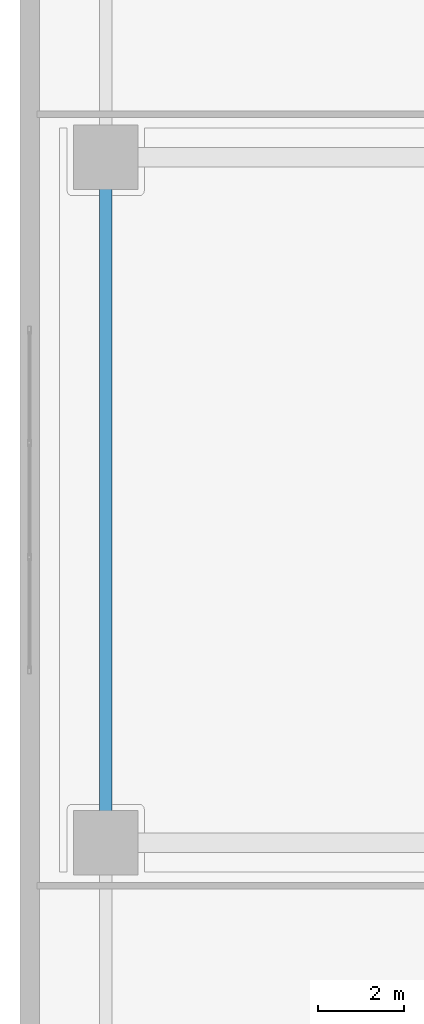
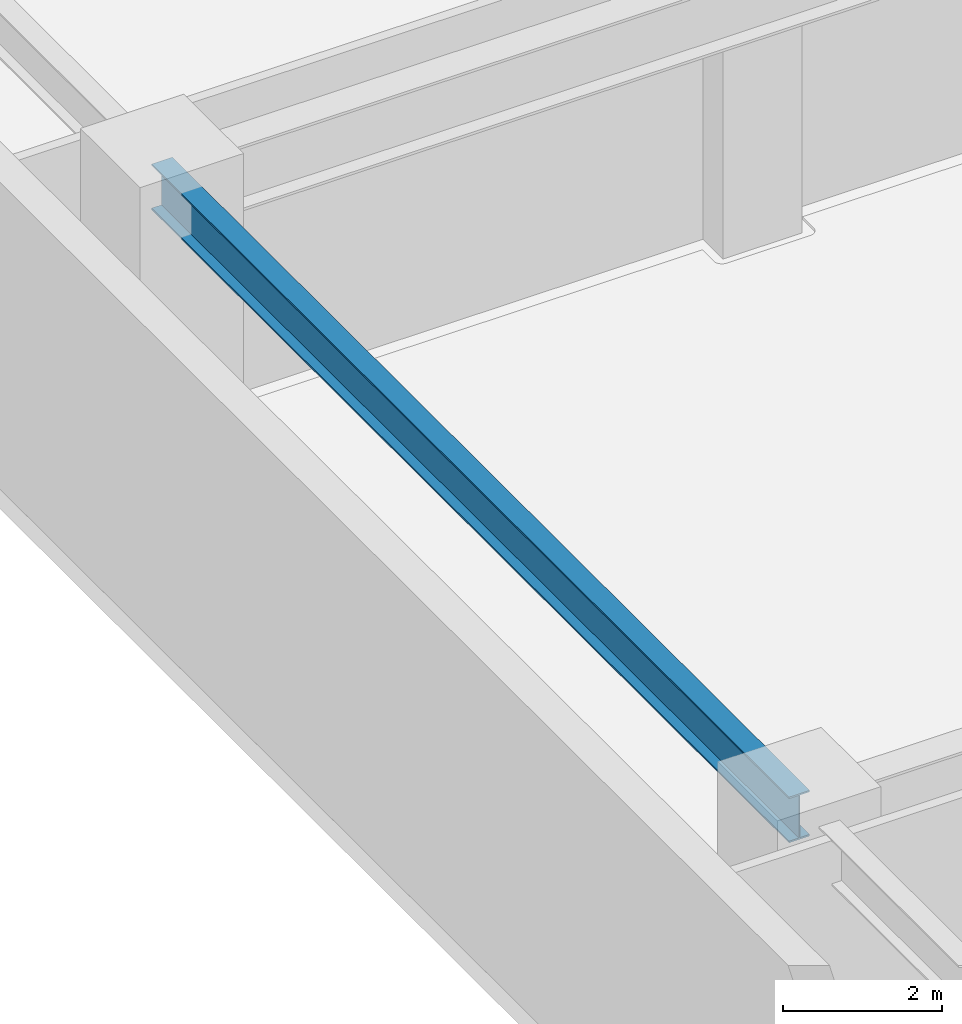
# One storey, part 11 of 35: 1 beam.
"""IFC4 building model written with IfcOpenShell, lengths in metres."""

import ifcopenshell
import ifcopenshell.guid

model = None  # the IFC model being written
_history = None  # IfcOwnerHistory: only IFC2X3 demands one
_inside = {}  # id of a spatial element -> (the spatial element, [elements in it])
_under = {}  # id of a project, library or spatial element -> (it, [spatial elements below it])
_declared = {}  # id of a project -> (the project, [libraries it declares])
_typed = {}  # id of a type object -> (the type object, [elements of that type])
_made_of = {}  # id of a material, layer set ... -> (it, [elements and type objects made of it])


def new_model(schema):
    """Start an empty IFC model of exactly this schema.

    Asked for "IFC4X3", IfcOpenShell would pick the latest addendum, in which some entities
    have other attributes; the version numbers below select the first issue.
    IFC2X3 requires an IfcOwnerHistory on every rooted entity: one is made here for all.
    """
    global model, _history
    if schema == "IFC4X3":
        model = ifcopenshell.file(schema_version=(4, 3, 0, 0))
    else:
        model = ifcopenshell.file(schema=schema)
    _inside.clear()
    _under.clear()
    _declared.clear()
    _typed.clear()
    _made_of.clear()
    _history = None
    if model.schema == "IFC2X3":
        org = make("IfcOrganization", Name="unknown")
        user = make(
            "IfcPersonAndOrganization",
            ThePerson=make("IfcPerson", FamilyName="unknown"),
            TheOrganization=org,
        )
        app = make(
            "IfcApplication",
            ApplicationDeveloper=org,
            Version="unknown",
            ApplicationFullName="unknown",
            ApplicationIdentifier="unknown",
        )
        _history = make(
            "IfcOwnerHistory",
            OwningUser=user,
            OwningApplication=app,
            ChangeAction="ADDED",
            CreationDate=0,
        )
    return model


def make(cls, **values):
    """One entity of the class cls with the attributes given. An attribute that is None is left unset."""
    return model.create_entity(
        cls, **{name: value for name, value in values.items() if value is not None}
    )


def rooted(cls, **values):
    """An entity with a GlobalId (a new one), such as an element, a storey or a relation."""
    return make(cls, GlobalId=ifcopenshell.guid.new(), OwnerHistory=_history, **values)


def si_unit(unit_type, name, prefix=None):
    """IfcSIUnit, for example si_unit("LENGTHUNIT", "METRE", prefix="MILLI")."""
    return make("IfcSIUnit", UnitType=unit_type, Prefix=prefix, Name=name)


def assignment(units):
    """IfcUnitAssignment: the units of a project."""
    return None if units is None else make("IfcUnitAssignment", Units=units)


def point(xyz):
    """IfcCartesianPoint."""
    return None if xyz is None else make("IfcCartesianPoint", Coordinates=xyz)


def direction(xyz):
    """IfcDirection."""
    return None if xyz is None else make("IfcDirection", DirectionRatios=xyz)


def frame(location, z_axis=None, x_axis=None):
    """IfcAxis2Placement3D, a coordinate frame: its origin and axes. An axis left out is left unset."""
    return make(
        "IfcAxis2Placement3D",
        Location=point(location),
        Axis=direction(z_axis),
        RefDirection=direction(x_axis),
    )


def frame_2d(location, x_axis=None):
    """IfcAxis2Placement2D, a coordinate frame in the plane: its origin and x axis."""
    return make(
        "IfcAxis2Placement2D", Location=point(location), RefDirection=direction(x_axis)
    )


def origin():
    """The frame at (0, 0, 0) with its axes left unset."""
    return frame((0.0, 0.0, 0.0))


def origin_2d():
    """The frame at (0, 0) in the plane with its x axis left unset."""
    return frame_2d((0.0, 0.0))


def place(relative_to, where):
    """IfcLocalPlacement: puts the frame where relative to a parent placement (None: the world)."""
    return make(
        "IfcLocalPlacement", PlacementRelTo=relative_to, RelativePlacement=where
    )


def context(
    kind, dimensions, precision=None, world=None, true_north=None, identifier=None
):
    """IfcGeometricRepresentationContext, for example the 3D "Model" context."""
    return make(
        "IfcGeometricRepresentationContext",
        ContextIdentifier=identifier,
        ContextType=kind,
        CoordinateSpaceDimension=dimensions,
        Precision=precision,
        WorldCoordinateSystem=world,
        TrueNorth=true_north,
    )


def subcontext(parent, identifier, kind, view, scale=None):
    """IfcGeometricRepresentationSubContext, for example "Body" below "Model"."""
    return make(
        "IfcGeometricRepresentationSubContext",
        ContextIdentifier=identifier,
        ContextType=kind,
        ParentContext=parent,
        TargetScale=scale,
        TargetView=view,
    )


def project(units=None, contexts=None):
    """IfcProject with its units and contexts."""
    return rooted(
        "IfcProject",
        Name="project",
        RepresentationContexts=contexts,
        UnitsInContext=assignment(units),
    )


def spatial(cls, under=None, at=None, **own):
    """A site, building, storey or space (cls), placed at a placement, below another one or the project."""
    s = rooted(cls, ObjectPlacement=at, **own)
    if under is not None:
        _under.setdefault(under.id(), (under, []))[1].append(s)
    return s


def profile(cls, at=None, kind="AREA", **sizes):
    """A parametric profile (cls). Its sizes go by their IFC names, for example OverallWidth=200.0."""
    return make(cls, ProfileType=kind, Position=at, **sizes)


def i_section(**sizes):
    """IfcIShapeProfileDef."""
    return profile("IfcIShapeProfileDef", **sizes)


def extrude(swept, where, along, depth):
    """IfcExtrudedAreaSolid: the profile swept, set in the frame where, extruded along a direction by depth."""
    return make(
        "IfcExtrudedAreaSolid",
        SweptArea=swept,
        Position=where,
        ExtrudedDirection=direction(along),
        Depth=depth,
    )


def shape(context_of_items, identifier, shape_type, items):
    """IfcShapeRepresentation: the items that make up one representation, for example the "Body"."""
    return make(
        "IfcShapeRepresentation",
        ContextOfItems=context_of_items,
        RepresentationIdentifier=identifier,
        RepresentationType=shape_type,
        Items=items,
    )


def material(Name=None, Category=None):
    """IfcMaterial."""
    return make("IfcMaterial", Name=Name, Category=Category)


def material_profile(
    of_material, cross_section, Name=None, Category=None, Priority=None
):
    """IfcMaterialProfile: a cross section and its material."""
    return make(
        "IfcMaterialProfile",
        Name=Name,
        Material=of_material,
        Profile=cross_section,
        Priority=Priority,
        Category=Category,
    )


def profile_set(profiles, Name=None, composite=None):
    """IfcMaterialProfileSet."""
    return make(
        "IfcMaterialProfileSet",
        Name=Name,
        MaterialProfiles=profiles,
        CompositeProfile=composite,
    )


def made_of(thing, what):
    """Note that an element or type object is made of a material, layer set ...; save() writes the relation."""
    if what is not None:
        _made_of.setdefault(what.id(), (what, []))[1].append(thing)
    return thing


def type_object(cls, material=None, **own):
    """A type object (cls), such as IfcWallType, which elements share."""
    return made_of(rooted(cls, **own), material)


def element(
    cls,
    number,
    at=None,
    inside=None,
    cuts=None,
    type_object=None,
    material=None,
    context=None,
    identifier="Body",
    shape_type=None,
    held_by="IfcProductDefinitionShape",
    body=None,
    shapes=None,
    **own,
):
    """One element of the class cls, such as IfcWall. Its Tag is "e" and its number.

    at: its placement. inside: the storey or other place that contains it. cuts: it is an
    opening in that element (IfcRelVoidsElement). A single representation is given by context,
    identifier, shape_type and body (its items); several are given by shapes. held_by: the class
    of the entity that holds the representations. save() writes the other relations.
    """
    e = rooted(cls, Tag="e%d" % number, ObjectPlacement=at, **own)
    if body is not None:
        shapes = [shape(context, identifier, shape_type, body)]
    if shapes is not None:
        e.Representation = make(held_by, Representations=shapes)
    if inside is not None:
        _inside.setdefault(inside.id(), (inside, []))[1].append(e)
    if cuts is not None:
        rooted(
            "IfcRelVoidsElement", RelatingBuildingElement=cuts, RelatedOpeningElement=e
        )
    if type_object is not None:
        _typed.setdefault(type_object.id(), (type_object, []))[1].append(e)
    return made_of(e, material)


def aggregate(whole, parts):
    """IfcRelAggregates: a whole, such as a stair, and the parts it consists of."""
    return rooted("IfcRelAggregates", RelatingObject=whole, RelatedObjects=parts)


def save(model, path):
    """Write the relations noted so far, then the file.

    IfcRelAggregates (storeys below a building ...), IfcRelContainedInSpatialStructure (elements
    in a storey), IfcRelDefinesByType, IfcRelAssociatesMaterial and IfcRelDeclares: one each for
    every whole, place, type object, material and project.
    """
    for whole, parts in _under.values():
        aggregate(whole, parts)
    for where, things in _inside.values():
        rooted(
            "IfcRelContainedInSpatialStructure",
            RelatedElements=things,
            RelatingStructure=where,
        )
    for kind, things in _typed.values():
        rooted("IfcRelDefinesByType", RelatedObjects=things, RelatingType=kind)
    for what, things in _made_of.values():
        rooted("IfcRelAssociatesMaterial", RelatedObjects=things, RelatingMaterial=what)
    for by, libraries in _declared.values():
        rooted("IfcRelDeclares", RelatingContext=by, RelatedDefinitions=libraries)
    model.write(path)


model = new_model("IFC4")

# Units and contexts
model_context = context("Model", 3, precision=1e-05, world=origin(), true_north=direction((0.0, 1.0)))
body_context = subcontext(model_context, "Body", "Model", "MODEL_VIEW")
ifc_project = project(units=[si_unit("LENGTHUNIT", "METRE"), si_unit("AREAUNIT", "SQUARE_METRE"), si_unit("VOLUMEUNIT", "CUBIC_METRE"), si_unit("PLANEANGLEUNIT", "RADIAN"), si_unit("MASSUNIT", "GRAM", prefix="KILO")], contexts=[model_context])

# Site, building, storey
site_placement = place(None, origin())
site = spatial("IfcSite", under=ifc_project, at=site_placement, CompositionType="ELEMENT")
building_placement = place(site_placement, origin())
building = spatial("IfcBuilding", under=site, at=building_placement, Name="Qiaolan Cultural Towers", CompositionType="ELEMENT")
storey_placement = place(building_placement, frame((0.0, 0.0, 11.5)))
storey = spatial("IfcBuildingStorey", under=building, at=storey_placement, Name="L02", CompositionType="ELEMENT", Elevation=11.5)

# Beam
ifc_material = material(Name="Steel Q355B", Category="steel")
ifc_material_profile = material_profile(ifc_material, i_section(OverallWidth=0.300048828125, OverallDepth=0.699951171875, WebThickness=0.012939453125, FlangeThickness=0.02392578125, at=origin_2d()), Name="HN700x300x13x24")
ifc_profile_set = profile_set([ifc_material_profile], Name="Steel Q355B")
beam_type = type_object("IfcBeamType", Name="BM-HN700x300x13x24", PredefinedType="BEAM", material=ifc_profile_set)
beam_placement = place(storey_placement, frame((2.0, 26.0, 4.35009765625), z_axis=(0.0, 1.0, 0.0), x_axis=(-1.0, 0.0, 0.0)))
element("IfcBeam", 1, at=beam_placement, inside=storey, type_object=beam_type, Name="L02 Podium Transverse Beam X=2.0", PredefinedType="BEAM", context=body_context, shape_type="SweptSolid", body=[
    extrude(i_section(OverallWidth=0.300048828125, OverallDepth=0.699951171875, WebThickness=0.012939453125, FlangeThickness=0.02392578125, at=origin_2d()), origin(), (0.0, 0.0, 1.0), 16.0),
])

save(model, "model.ifc")
